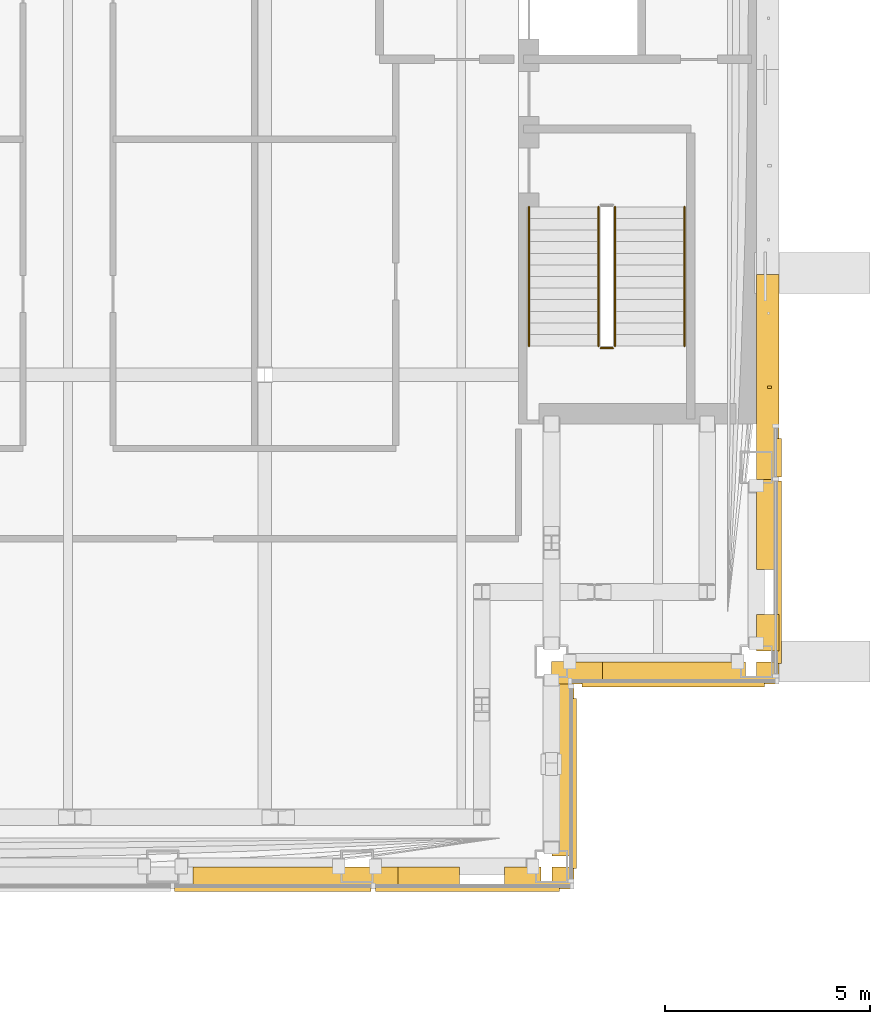
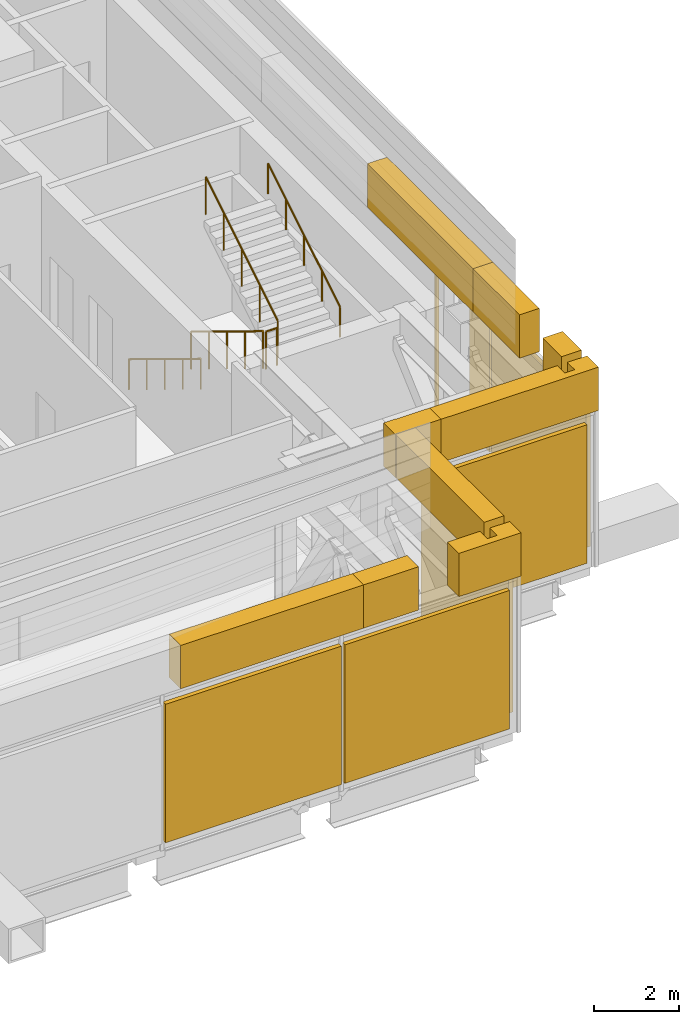
# One storey, part 22 of 29: 16 coverings, 5 railings.
"""IFC4 building model written with IfcOpenShell, lengths in metres."""

from ifc_helpers import new_model, si_unit, direction, frame, origin, origin_2d, place, context, subcontext, project, spatial, polyline, rectangle, circle, outline, extrude, material, type_object, element, save


model = new_model("IFC4")

# Units and contexts
model_context = context("Model", 3, precision=1e-05, world=origin(), true_north=direction((0.0, 1.0)))
body_context = subcontext(model_context, "Body", "Model", "MODEL_VIEW")
ifc_project = project(units=[si_unit("LENGTHUNIT", "METRE"), si_unit("AREAUNIT", "SQUARE_METRE"), si_unit("VOLUMEUNIT", "CUBIC_METRE"), si_unit("PLANEANGLEUNIT", "RADIAN"), si_unit("MASSUNIT", "GRAM", prefix="KILO")], contexts=[model_context])

# Site, building, storey
site_placement = place(None, origin())
site = spatial("IfcSite", under=ifc_project, at=site_placement, CompositionType="ELEMENT")
building_placement = place(site_placement, origin())
building = spatial("IfcBuilding", under=site, at=building_placement, Name="Cobrizo Arcos Hotel Tower", CompositionType="ELEMENT")
storey_placement = place(building_placement, frame((0.0, 0.0, 186.5)))
storey = spatial("IfcBuildingStorey", under=building, at=storey_placement, Name="L48", CompositionType="ELEMENT", Elevation=186.5)

# Coverings
ifc_material_1 = material(Name="Aluminium 6063-T6 anodised pale", Category="aluminium")
covering_type_1 = type_object("IfcCoveringType", Name="LF-1 setback skirt", PredefinedType="CLADDING", material=ifc_material_1)
covering_1_placement = place(storey_placement, frame((0.0, 0.0, 4.5)))
element("IfcCovering", 1, at=covering_1_placement, inside=storey, type_object=covering_type_1, Name="Setback skirt L48", PredefinedType="CLADDING", context=body_context, shape_type="SweptSolid", body=[
    extrude(outline(polyline([(12.85009765625, -21.610107421875), (7.85009765625, -21.610107421875), (7.85009765625, -22.14990234375), (12.85009765625, -22.14990234375), (12.85009765625, -21.610107421875)])), origin(), (0.0, 0.0, 1.0), 1.25),
])
covering_2_placement = place(storey_placement, frame((0.0, 0.0, 4.5)))
element("IfcCovering", 2, at=covering_2_placement, inside=storey, type_object=covering_type_1, Name="Setback skirt L48", PredefinedType="CLADDING", context=body_context, shape_type="SweptSolid", body=[
    extrude(outline(polyline([(16.60009765625, -17.14990234375), (16.60009765625, -17.18310546875), (16.6083984375, -17.1943359375), (16.60888671875, -17.1953125), (16.609130859375, -17.1962890625), (16.609619140625, -17.197021484375), (16.60986328125, -17.197998046875), (16.610107421875, -17.198974609375), (16.610107421875, -17.199951171875), (16.610107421875, -21.340087890625), (17.14990234375, -21.340087890625), (17.14990234375, -17.14990234375), (16.60009765625, -17.14990234375)])), origin(), (0.0, 0.0, 1.0), 1.25),
])
covering_3_placement = place(storey_placement, frame((0.0, 0.0, 4.5)))
element("IfcCovering", 3, at=covering_3_placement, inside=storey, type_object=covering_type_1, Name="Setback skirt L48", PredefinedType="CLADDING", context=body_context, shape_type="SweptSolid", body=[
    extrude(outline(polyline([(15.449951171875, -21.610107421875), (15.449951171875, -22.14990234375), (17.14990234375, -22.14990234375), (17.14990234375, -21.610107421875), (16.610107421875, -21.610107421875), (16.610107421875, -21.949951171875), (16.610107421875, -21.950927734375), (16.60986328125, -21.951904296875), (16.609619140625, -21.952880859375), (16.609130859375, -21.953857421875), (16.60888671875, -21.95458984375), (16.6083984375, -21.95556640625), (16.607666015625, -21.956298828125), (16.607177734375, -21.95703125), (16.606201171875, -21.957763671875), (16.605712890625, -21.958251953125), (16.604736328125, -21.958740234375), (16.603759765625, -21.959228515625), (16.602783203125, -21.959716796875), (16.60205078125, -21.959716796875), (16.60107421875, -21.9599609375), (16.60009765625, -21.9599609375), (16.35009765625, -21.9599609375), (16.34912109375, -21.9599609375), (16.347900390625, -21.959716796875), (16.34716796875, -21.959716796875), (16.34619140625, -21.959228515625), (16.34521484375, -21.958740234375), (16.344482421875, -21.958251953125), (16.34375, -21.957763671875), (16.343017578125, -21.95703125), (16.34228515625, -21.956298828125), (16.341796875, -21.95556640625), (16.34130859375, -21.95458984375), (16.3408203125, -21.953857421875), (16.34033203125, -21.952880859375), (16.340087890625, -21.951904296875), (16.340087890625, -21.950927734375), (16.340087890625, -21.949951171875), (16.340087890625, -21.610107421875), (15.449951171875, -21.610107421875)])), origin(), (0.0, 0.0, 1.0), 1.25),
])
covering_4_placement = place(storey_placement, frame((0.0, 0.0, 4.5)))
element("IfcCovering", 4, at=covering_4_placement, inside=storey, type_object=covering_type_1, Name="Setback skirt L48", PredefinedType="CLADDING", context=body_context, shape_type="SweptSolid", body=[
    extrude(outline(polyline([(14.35009765625, -21.610107421875), (12.85009765625, -21.610107421875), (12.85009765625, -22.14990234375), (14.35009765625, -22.14990234375), (14.35009765625, -21.610107421875)])), origin(), (0.0, 0.0, 1.0), 1.25),
])
covering_5_placement = place(storey_placement, frame((0.0, 0.0, 4.5)))
element("IfcCovering", 5, at=covering_5_placement, inside=storey, type_object=covering_type_1, Name="Setback skirt L48", PredefinedType="CLADDING", context=body_context, shape_type="SweptSolid", body=[
    extrude(outline(polyline([(16.60009765625, -16.60009765625), (16.60009765625, -17.14990234375), (17.14990234375, -17.14990234375), (17.85009765625, -17.14990234375), (17.85009765625, -16.610107421875), (16.949951171875, -16.610107421875), (16.948974609375, -16.610107421875), (16.947998046875, -16.60986328125), (16.947021484375, -16.609619140625), (16.9462890625, -16.609130859375), (16.9453125, -16.60888671875), (16.9443359375, -16.6083984375), (16.93310546875, -16.60009765625), (16.60009765625, -16.60009765625)])), origin(), (0.0, 0.0, 1.0), 1.25),
])
covering_6_placement = place(storey_placement, frame((0.0, 0.0, 4.5)))
element("IfcCovering", 6, at=covering_6_placement, inside=storey, type_object=covering_type_1, Name="Setback skirt L48", PredefinedType="CLADDING", context=body_context, shape_type="SweptSolid", body=[
    extrude(outline(polyline([(21.340087890625, -16.610107421875), (17.85009765625, -16.610107421875), (17.85009765625, -17.14990234375), (22.14990234375, -17.14990234375), (22.14990234375, -16.610107421875), (21.610107421875, -16.610107421875), (21.610107421875, -16.949951171875), (21.610107421875, -16.950927734375), (21.60986328125, -16.951904296875), (21.609619140625, -16.952880859375), (21.609130859375, -16.953857421875), (21.60888671875, -16.95458984375), (21.6083984375, -16.95556640625), (21.607666015625, -16.956298828125), (21.607177734375, -16.95703125), (21.606201171875, -16.957763671875), (21.605712890625, -16.958251953125), (21.604736328125, -16.958740234375), (21.603759765625, -16.959228515625), (21.602783203125, -16.959716796875), (21.60205078125, -16.959716796875), (21.60107421875, -16.9599609375), (21.60009765625, -16.9599609375), (21.35009765625, -16.9599609375), (21.34912109375, -16.9599609375), (21.347900390625, -16.959716796875), (21.34716796875, -16.959716796875), (21.34619140625, -16.959228515625), (21.34521484375, -16.958740234375), (21.344482421875, -16.958251953125), (21.34375, -16.957763671875), (21.343017578125, -16.95703125), (21.34228515625, -16.956298828125), (21.341796875, -16.95556640625), (21.34130859375, -16.95458984375), (21.3408203125, -16.953857421875), (21.34033203125, -16.952880859375), (21.340087890625, -16.951904296875), (21.340087890625, -16.950927734375), (21.340087890625, -16.949951171875), (21.340087890625, -16.610107421875)])), origin(), (0.0, 0.0, 1.0), 1.25),
])
covering_7_placement = place(storey_placement, frame((0.0, 0.0, 4.5)))
element("IfcCovering", 7, at=covering_7_placement, inside=storey, type_object=covering_type_1, Name="Setback skirt L48", PredefinedType="CLADDING", context=body_context, shape_type="SweptSolid", body=[
    extrude(outline(polyline([(21.610107421875, -15.449951171875), (21.610107421875, -16.340087890625), (22.14990234375, -16.340087890625), (22.14990234375, -15.449951171875), (21.610107421875, -15.449951171875)])), origin(), (0.0, 0.0, 1.0), 1.25),
])
covering_8_placement = place(storey_placement, frame((0.0, 0.0, 4.5)))
element("IfcCovering", 8, at=covering_8_placement, inside=storey, type_object=covering_type_1, Name="Setback skirt L48", PredefinedType="CLADDING", context=body_context, shape_type="SweptSolid", body=[
    extrude(outline(polyline([(22.14990234375, -14.35009765625), (22.14990234375, -12.14990234375), (21.610107421875, -12.14990234375), (21.610107421875, -14.35009765625), (22.14990234375, -14.35009765625)])), origin(), (0.0, 0.0, 1.0), 1.25),
])
covering_9_placement = place(storey_placement, frame((0.0, 0.0, 4.5)))
element("IfcCovering", 9, at=covering_9_placement, inside=storey, type_object=covering_type_1, Name="Setback skirt L48", PredefinedType="CLADDING", context=body_context, shape_type="SweptSolid", body=[
    extrude(outline(polyline([(22.14990234375, -12.14990234375), (22.14990234375, -7.14990234375), (21.610107421875, -7.14990234375), (21.610107421875, -12.14990234375), (22.14990234375, -12.14990234375)])), origin(), (0.0, 0.0, 1.0), 1.25),
])
ifc_material_2 = material(Name="Aluminium 6063-T6 anodised bronze", Category="aluminium")
covering_type_2 = type_object("IfcCoveringType", Name="LV-1 plant louvre band", PredefinedType="CLADDING", material=ifc_material_2)
covering_10_placement = place(storey_placement, frame((9.800048828125, -22.155029296875, 0.25), z_axis=(0.0, 0.0, 1.0), x_axis=(1.0, 0.0, 0.0)))
element("IfcCovering", 10, at=covering_10_placement, inside=storey, type_object=covering_type_2, Name="louvre band 1671", PredefinedType="CLADDING", context=body_context, shape_type="SweptSolid", body=[
    extrude(rectangle(XDim=4.800048828125, YDim=0.1201171875, at=origin_2d()), origin(), (0.0, 0.0, 1.0), 4.0),
])
covering_11_placement = place(storey_placement, frame((14.550048828125, -22.155029296875, 0.25), z_axis=(0.0, 0.0, 1.0), x_axis=(1.0, 0.0, 0.0)))
element("IfcCovering", 11, at=covering_11_placement, inside=storey, type_object=covering_type_2, Name="louvre band 1672", PredefinedType="CLADDING", context=body_context, shape_type="SweptSolid", body=[
    extrude(rectangle(XDim=4.5, YDim=0.1201171875, at=origin_2d()), origin(), (0.0, 0.0, 1.0), 4.0),
])
covering_12_placement = place(storey_placement, frame((17.155029296875, -19.574951171875, 0.25), z_axis=(0.0, 0.0, 1.0), x_axis=(0.0, 1.0, 0.0)))
element("IfcCovering", 12, at=covering_12_placement, inside=storey, type_object=covering_type_2, Name="louvre band 1673", PredefinedType="CLADDING", context=body_context, shape_type="SweptSolid", body=[
    extrude(rectangle(XDim=4.14990234375, YDim=0.1201171875, at=origin_2d()), origin(), (0.0, 0.0, 1.0), 4.0),
])
covering_13_placement = place(storey_placement, frame((19.574951171875, -17.155029296875, 0.25), z_axis=(0.0, 0.0, 1.0), x_axis=(1.0, 0.0, 0.0)))
element("IfcCovering", 13, at=covering_13_placement, inside=storey, type_object=covering_type_2, Name="louvre band 1674", PredefinedType="CLADDING", context=body_context, shape_type="SweptSolid", body=[
    extrude(rectangle(XDim=4.449951171875, YDim=0.1201171875, at=origin_2d()), origin(), (0.0, 0.0, 1.0), 4.0),
])
covering_14_placement = place(storey_placement, frame((22.155029296875, -14.42138671875, 0.25), z_axis=(0.0, 0.0, 1.0), x_axis=(0.0, 1.0, 0.0)))
element("IfcCovering", 14, at=covering_14_placement, inside=storey, type_object=covering_type_2, Name="louvre band 1675", PredefinedType="CLADDING", context=body_context, shape_type="SweptSolid", body=[
    extrude(rectangle(XDim=4.45703125, YDim=0.1201171875, at=origin_2d()), origin(), (0.0, 0.0, 1.0), 4.0),
])
covering_15_placement = place(storey_placement, frame((22.155029296875, -11.621337890625, 0.25), z_axis=(0.0, 0.0, 1.0), x_axis=(0.0, 1.0, 0.0)))
element("IfcCovering", 15, at=covering_15_placement, inside=storey, type_object=covering_type_2, Name="louvre band 1676", PredefinedType="CLADDING", context=body_context, shape_type="SweptSolid", body=[
    extrude(rectangle(XDim=0.94287109375, YDim=0.1201171875, at=origin_2d()), origin(), (0.0, 0.0, 1.0), 4.0),
])
covering_type_3 = type_object("IfcCoveringType", Name="RS-1 rainscreen rib 60x90", PredefinedType="CLADDING", material=ifc_material_1)
covering_16_placement = place(storey_placement, frame((21.919921875, -9.89990234375, 0.0), z_axis=(0.0, 0.0, 1.0), x_axis=(0.0, 1.0, 0.0)))
element("IfcCovering", 16, at=covering_16_placement, inside=storey, type_object=covering_type_3, Name="Rainscreen rib 61", PredefinedType="CLADDING", context=body_context, shape_type="SweptSolid", body=[
    extrude(rectangle(XDim=0.06005859375, YDim=0.090087890625, at=origin_2d()), origin(), (0.0, 0.0, 1.0), 4.5),
])

# Railings
ifc_material_3 = material(Name="Stainless steel railing", Category="steel")
railing_type_1 = type_object("IfcRailingType", Name="Stair guard 1100", PredefinedType="GUARDRAIL", material=ifc_material_3)
railing_1_placement = place(storey_placement, frame((17.75, -5.5, 0.173095703125)))
element("IfcRailing", 17, at=railing_1_placement, inside=storey, type_object=railing_type_1, Name="L48 ST-E stair guard 1", PredefinedType="GUARDRAIL", context=body_context, shape_type="SweptSolid", body=[
    extrude(circle(Radius=0.02392578125, at=origin_2d()), frame((0.0, 0.0, 1.076171875), z_axis=(0.0, -0.853372706543, 0.52130127923), x_axis=(1.0, 0.0, 0.0)), (0.0, 0.0, 1.0), 3.984130859375),
    extrude(circle(Radius=0.02099609375, at=origin_2d()), origin(), (0.0, 0.0, 1.0), 1.052001953125),
    extrude(circle(Radius=0.02099609375, at=origin_2d()), frame((0.0, -0.85009765625, 0.519287109375)), (0.0, 0.0, 1.0), 1.052001953125),
    extrude(circle(Radius=0.02099609375, at=origin_2d()), frame((0.0, -1.699951171875, 1.03857421875)), (0.0, 0.0, 1.0), 1.052001953125),
    extrude(circle(Radius=0.02099609375, at=origin_2d()), frame((0.0, -2.5498046875, 1.5576171875)), (0.0, 0.0, 1.0), 1.052001953125),
    extrude(circle(Radius=0.02099609375, at=origin_2d()), frame((0.0, -3.39990234375, 2.076904296875)), (0.0, 0.0, 1.0), 1.052001953125),
])
railing_2_placement = place(storey_placement, frame((17.800048828125, -8.949951171875, 2.25)))
element("IfcRailing", 18, at=railing_2_placement, inside=storey, type_object=railing_type_1, Name="L48 ST-E stair guard 2", PredefinedType="GUARDRAIL", context=body_context, shape_type="SweptSolid", body=[
    extrude(circle(Radius=0.02392578125, at=origin_2d()), frame((0.0, 0.0, 1.076171875), z_axis=(1.0, 0.0, 0.0), x_axis=(0.0, 1.0, 0.0)), (0.0, 0.0, 1.0), 0.300048828125),
    extrude(circle(Radius=0.02099609375, at=origin_2d()), origin(), (0.0, 0.0, 1.0), 1.052001953125),
    extrude(circle(Radius=0.02099609375, at=origin_2d()), frame((0.300048828125, 0.0, 0.0)), (0.0, 0.0, 1.0), 1.052001953125),
])
railing_3_placement = place(storey_placement, frame((18.14990234375, -8.89990234375, 2.423095703125)))
element("IfcRailing", 19, at=railing_3_placement, inside=storey, type_object=railing_type_1, Name="L48 ST-E stair guard 3", PredefinedType="GUARDRAIL", context=body_context, shape_type="SweptSolid", body=[
    extrude(circle(Radius=0.02392578125, at=origin_2d()), frame((0.0, 0.0, 1.076171875), z_axis=(0.0, 0.853372706543, 0.52130127923), x_axis=(-1.0, 0.0, 0.0)), (0.0, 0.0, 1.0), 3.984130859375),
    extrude(circle(Radius=0.02099609375, at=origin_2d()), origin(), (0.0, 0.0, 1.0), 1.052001953125),
    extrude(circle(Radius=0.02099609375, at=origin_2d()), frame((0.0, 0.85009765625, 0.519287109375)), (0.0, 0.0, 1.0), 1.052001953125),
    extrude(circle(Radius=0.02099609375, at=origin_2d()), frame((0.0, 1.699951171875, 1.03857421875)), (0.0, 0.0, 1.0), 1.052001953125),
    extrude(circle(Radius=0.02099609375, at=origin_2d()), frame((0.0, 2.5498046875, 1.5576171875)), (0.0, 0.0, 1.0), 1.052001953125),
    extrude(circle(Radius=0.02099609375, at=origin_2d()), frame((0.0, 3.39990234375, 2.076904296875)), (0.0, 0.0, 1.0), 1.052001953125),
])
railing_type_2 = type_object("IfcRailingType", Name="Stair handrail", PredefinedType="HANDRAIL", material=ifc_material_3)
railing_4_placement = place(storey_placement, frame((16.050048828125, -5.5, 0.173095703125)))
element("IfcRailing", 20, at=railing_4_placement, inside=storey, type_object=railing_type_2, Name="L48 ST-E stair handrail 1", PredefinedType="HANDRAIL", context=body_context, shape_type="SweptSolid", body=[
    extrude(circle(Radius=0.02392578125, at=origin_2d()), frame((0.0, 0.0, 0.8759765625), z_axis=(0.0, -0.853372706543, 0.52130127923), x_axis=(1.0, 0.0, 0.0)), (0.0, 0.0, 1.0), 3.984130859375),
    extrude(circle(Radius=0.02099609375, at=origin_2d()), origin(), (0.0, 0.0, 1.0), 0.851806640625),
    extrude(circle(Radius=0.02099609375, at=origin_2d()), frame((0.0, -0.85009765625, 0.519287109375)), (0.0, 0.0, 1.0), 0.851806640625),
    extrude(circle(Radius=0.02099609375, at=origin_2d()), frame((0.0, -1.699951171875, 1.03857421875)), (0.0, 0.0, 1.0), 0.851806640625),
    extrude(circle(Radius=0.02099609375, at=origin_2d()), frame((0.0, -2.5498046875, 1.5576171875)), (0.0, 0.0, 1.0), 0.851806640625),
    extrude(circle(Radius=0.02099609375, at=origin_2d()), frame((0.0, -3.39990234375, 2.076904296875)), (0.0, 0.0, 1.0), 0.851806640625),
])
railing_5_placement = place(storey_placement, frame((19.85009765625, -8.89990234375, 2.423095703125)))
element("IfcRailing", 21, at=railing_5_placement, inside=storey, type_object=railing_type_2, Name="L48 ST-E stair handrail 2", PredefinedType="HANDRAIL", context=body_context, shape_type="SweptSolid", body=[
    extrude(circle(Radius=0.02392578125, at=origin_2d()), frame((0.0, 0.0, 0.8759765625), z_axis=(0.0, 0.853372706543, 0.52130127923), x_axis=(-1.0, 0.0, 0.0)), (0.0, 0.0, 1.0), 3.984130859375),
    extrude(circle(Radius=0.02099609375, at=origin_2d()), origin(), (0.0, 0.0, 1.0), 0.851806640625),
    extrude(circle(Radius=0.02099609375, at=origin_2d()), frame((0.0, 0.85009765625, 0.519287109375)), (0.0, 0.0, 1.0), 0.851806640625),
    extrude(circle(Radius=0.02099609375, at=origin_2d()), frame((0.0, 1.699951171875, 1.03857421875)), (0.0, 0.0, 1.0), 0.851806640625),
    extrude(circle(Radius=0.02099609375, at=origin_2d()), frame((0.0, 2.5498046875, 1.5576171875)), (0.0, 0.0, 1.0), 0.851806640625),
    extrude(circle(Radius=0.02099609375, at=origin_2d()), frame((0.0, 3.39990234375, 2.076904296875)), (0.0, 0.0, 1.0), 0.851806640625),
])

save(model, "model.ifc")
